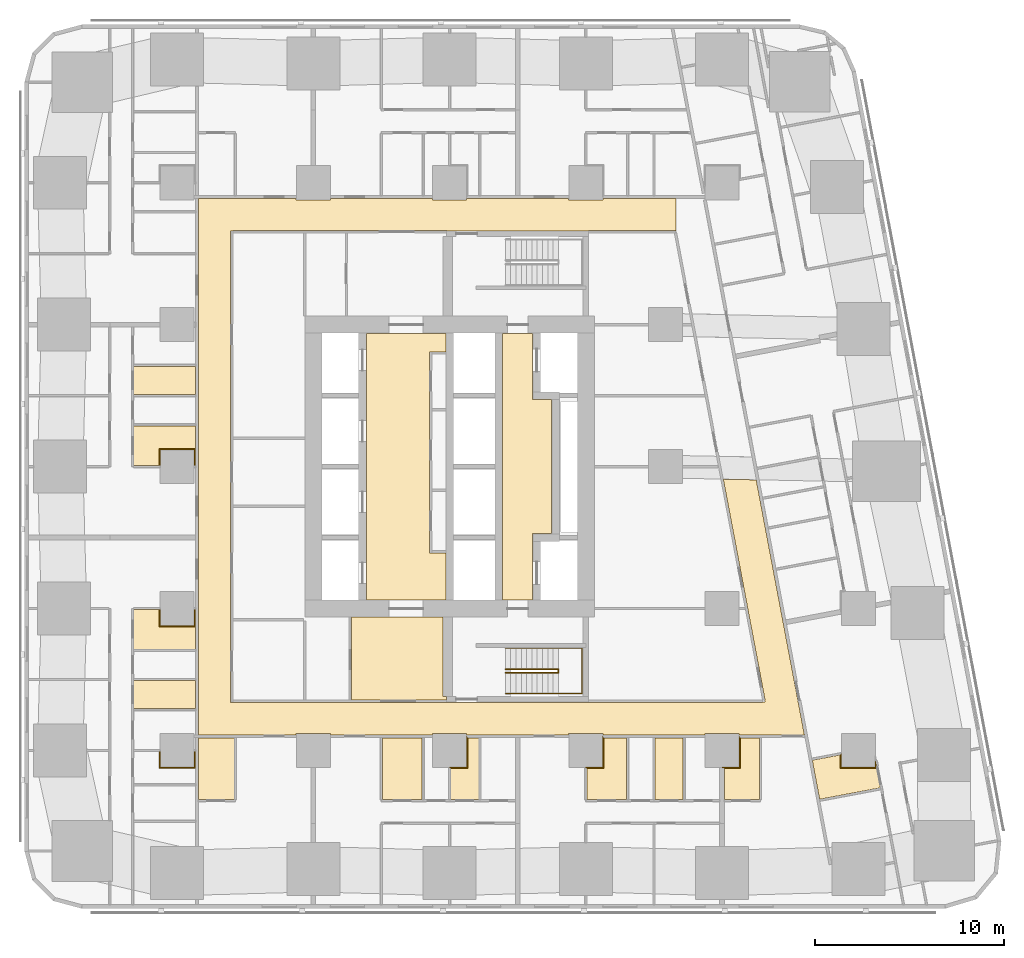
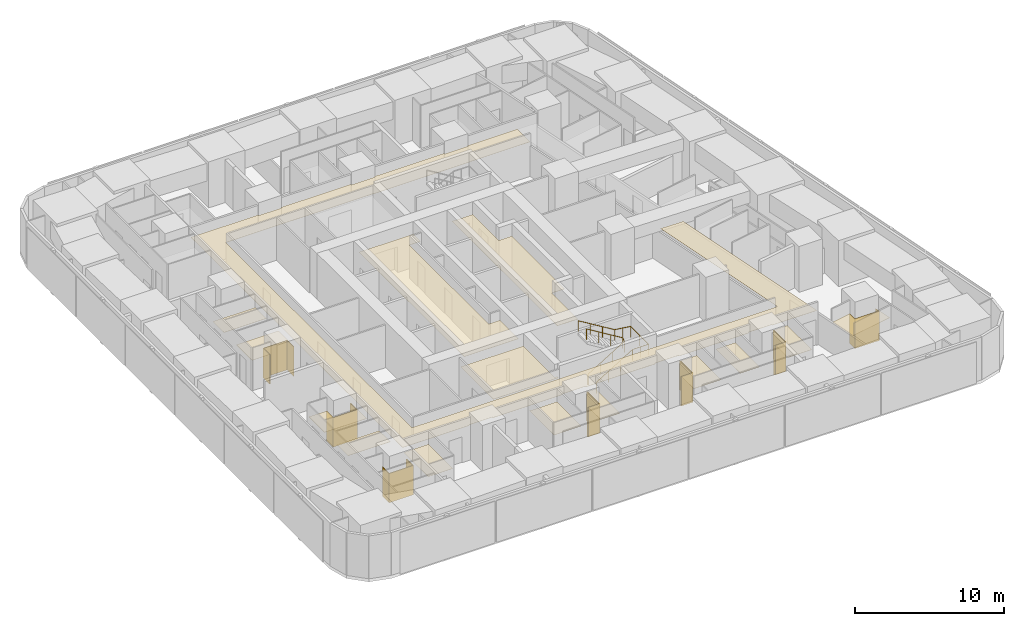
# One storey, part 16 of 18: 22 coverings, 2 railings.
"""IFC4 building model written with IfcOpenShell, lengths in metres."""

from ifc_helpers import new_model, si_unit, direction, frame, origin, origin_2d, place, context, subcontext, project, spatial, polyline, circle, outline, extrude, material, layer, layer_set, type_object, element, save


model = new_model("IFC4")

# Units and contexts
model_context = context("Model", 3, precision=1e-05, world=origin(), true_north=direction((0.0, 1.0)))
body_context = subcontext(model_context, "Body", "Model", "MODEL_VIEW")
ifc_project = project(units=[si_unit("LENGTHUNIT", "METRE"), si_unit("AREAUNIT", "SQUARE_METRE"), si_unit("VOLUMEUNIT", "CUBIC_METRE"), si_unit("PLANEANGLEUNIT", "RADIAN"), si_unit("MASSUNIT", "GRAM", prefix="KILO")], contexts=[model_context])

# Site, building, storey
site_placement = place(None, origin())
site = spatial("IfcSite", under=ifc_project, at=site_placement, CompositionType="ELEMENT")
building_placement = place(site_placement, origin())
building = spatial("IfcBuilding", under=site, at=building_placement, Name="Sheger Commons Tower", CompositionType="ELEMENT")
storey_placement = place(building_placement, frame((0.0, 0.0, 35.0)))
storey = spatial("IfcBuildingStorey", under=building, at=storey_placement, Name="L08", CompositionType="ELEMENT", Elevation=35.0)

# Railings
ifc_material_1 = material(Name="Steel handrail, black powder-coated", Category="steel")
railing_type = type_object("IfcRailingType", Name="HANDRAIL 900", PredefinedType="HANDRAIL", material=ifc_material_1)
railing_1_placement = place(storey_placement, frame((24.550048828125, 11.60009765625, 0.17041015625)))
element("IfcRailing", 1, at=railing_1_placement, inside=storey, type_object=railing_type, Name="Stair S1 handrail L08", PredefinedType="HANDRAIL", context=body_context, shape_type="SweptSolid", body=[
    extrude(circle(Radius=0.02392578125, at=origin_2d()), frame((0.0, 0.0, 0.8759765625), z_axis=(0.854169791009, 0.0, 0.51999420009), x_axis=(0.0, 1.0, 0.0)), (0.0, 0.0, 1.0), 3.278076171875),
    extrude(circle(Radius=0.02392578125, at=origin_2d()), frame((2.800048828125, 0.0, 2.58056640625), z_axis=(0.0, 0.761090297175, 0.648645943136), x_axis=(-1.0, 0.0, 0.0)), (0.0, 0.0, 1.0), 0.2626953125),
    extrude(circle(Radius=0.02392578125, at=origin_2d()), frame((2.800048828125, 0.199951171875, 2.7509765625), z_axis=(-0.854169791009, 0.0, 0.51999420009), x_axis=(0.0, -1.0, 0.0)), (0.0, 0.0, 1.0), 3.278076171875),
    extrude(circle(Radius=0.02099609375, at=origin_2d()), origin(), (0.0, 0.0, 1.0), 0.851806640625),
    extrude(circle(Radius=0.02099609375, at=origin_2d()), frame((0.933349609375, 0.0, 0.568115234375)), (0.0, 0.0, 1.0), 0.851806640625),
    extrude(circle(Radius=0.02099609375, at=origin_2d()), frame((1.86669921875, 0.0, 1.136474609375)), (0.0, 0.0, 1.0), 0.851806640625),
    extrude(circle(Radius=0.02099609375, at=origin_2d()), frame((2.800048828125, 0.0, 1.70458984375)), (0.0, 0.0, 1.0), 0.851806640625),
    extrude(circle(Radius=0.02099609375, at=origin_2d()), frame((2.800048828125, 0.199951171875, 1.875)), (0.0, 0.0, 1.0), 0.851806640625),
    extrude(circle(Radius=0.02099609375, at=origin_2d()), frame((1.86669921875, 0.199951171875, 2.443115234375)), (0.0, 0.0, 1.0), 0.851806640625),
    extrude(circle(Radius=0.02099609375, at=origin_2d()), frame((0.933349609375, 0.199951171875, 3.011474609375)), (0.0, 0.0, 1.0), 0.851806640625),
    extrude(circle(Radius=0.02099609375, at=origin_2d()), frame((0.0, 0.199951171875, 3.57958984375)), (0.0, 0.0, 1.0), 0.851806640625),
])
railing_2_placement = place(storey_placement, frame((24.550048828125, 10.5, 0.17041015625)))
element("IfcRailing", 2, at=railing_2_placement, inside=storey, type_object=railing_type, Name="Stair S1 handrail L08", PredefinedType="HANDRAIL", context=body_context, shape_type="SweptSolid", body=[
    extrude(circle(Radius=0.02392578125, at=origin_2d()), frame((0.0, 0.0, 0.8759765625), z_axis=(0.854169791009, 0.0, 0.51999420009), x_axis=(0.0, 1.0, 0.0)), (0.0, 0.0, 1.0), 3.278076171875),
    extrude(circle(Radius=0.02392578125, at=origin_2d()), frame((2.800048828125, 0.0, 2.58056640625), z_axis=(1.0, 0.0, 0.0), x_axis=(0.0, 1.0, 0.0)), (0.0, 0.0, 1.0), 1.25),
    extrude(circle(Radius=0.02392578125, at=origin_2d()), frame((4.050048828125, 0.0, 2.58056640625), z_axis=(0.0, 1.0, 0.0), x_axis=(-1.0, 0.0, 0.0)), (0.0, 0.0, 1.0), 2.39990234375),
    extrude(circle(Radius=0.02392578125, at=origin_2d()), frame((4.050048828125, 2.39990234375, 2.58056640625), z_axis=(-0.990834877927, 0.0, 0.135078661092), x_axis=(0.0, -1.0, 0.0)), (0.0, 0.0, 1.0), 1.261474609375),
    extrude(circle(Radius=0.02392578125, at=origin_2d()), frame((2.800048828125, 2.39990234375, 2.7509765625), z_axis=(-0.854169791009, 0.0, 0.51999420009), x_axis=(0.0, -1.0, 0.0)), (0.0, 0.0, 1.0), 3.278076171875),
    extrude(circle(Radius=0.02099609375, at=origin_2d()), origin(), (0.0, 0.0, 1.0), 0.851806640625),
    extrude(circle(Radius=0.02099609375, at=origin_2d()), frame((0.933349609375, 0.0, 0.568115234375)), (0.0, 0.0, 1.0), 0.851806640625),
    extrude(circle(Radius=0.02099609375, at=origin_2d()), frame((1.86669921875, 0.0, 1.136474609375)), (0.0, 0.0, 1.0), 0.851806640625),
    extrude(circle(Radius=0.02099609375, at=origin_2d()), frame((2.800048828125, 0.0, 1.70458984375)), (0.0, 0.0, 1.0), 0.851806640625),
    extrude(circle(Radius=0.02099609375, at=origin_2d()), frame((3.425048828125, 0.0, 1.70458984375)), (0.0, 0.0, 1.0), 0.851806640625),
    extrude(circle(Radius=0.02099609375, at=origin_2d()), frame((4.050048828125, 0.0, 1.70458984375)), (0.0, 0.0, 1.0), 0.851806640625),
    extrude(circle(Radius=0.02099609375, at=origin_2d()), frame((4.050048828125, 1.199951171875, 1.70458984375)), (0.0, 0.0, 1.0), 0.851806640625),
    extrude(circle(Radius=0.02099609375, at=origin_2d()), frame((4.050048828125, 2.39990234375, 1.70458984375)), (0.0, 0.0, 1.0), 0.851806640625),
    extrude(circle(Radius=0.02099609375, at=origin_2d()), frame((3.425048828125, 2.39990234375, 1.789794921875)), (0.0, 0.0, 1.0), 0.851806640625),
    extrude(circle(Radius=0.02099609375, at=origin_2d()), frame((2.800048828125, 2.39990234375, 1.875)), (0.0, 0.0, 1.0), 0.851806640625),
    extrude(circle(Radius=0.02099609375, at=origin_2d()), frame((1.86669921875, 2.39990234375, 2.443115234375)), (0.0, 0.0, 1.0), 0.851806640625),
    extrude(circle(Radius=0.02099609375, at=origin_2d()), frame((0.933349609375, 2.39990234375, 3.011474609375)), (0.0, 0.0, 1.0), 0.851806640625),
    extrude(circle(Radius=0.02099609375, at=origin_2d()), frame((0.0, 2.39990234375, 3.57958984375)), (0.0, 0.0, 1.0), 0.851806640625),
])

# Coverings
ifc_material_2 = material(Name="Moisture-resistant gypsum plasterboard 15 mm on a suspended galvanised steel grid", Category="steel")
ifc_layer_1 = layer(ifc_material_2, 0.014892578125)
ifc_layer_set_1 = layer_set([ifc_layer_1], Name="MOISTURE-RESISTANT CEILING 15")
covering_type_1 = type_object("IfcCoveringType", Name="MOISTURE-RESISTANT CEILING 15", PredefinedType="CEILING", material=ifc_layer_set_1)
covering_1_placement = place(storey_placement, frame((0.0, 0.0, 2.39990234375)))
element("IfcCovering", 3, at=covering_1_placement, inside=storey, type_object=covering_type_1, Name="L08-01.B1 ceiling", PredefinedType="CEILING", context=body_context, shape_type="SweptSolid", body=[
    extrude(outline(polyline([(4.905029296875, 12.844970703125), (8.169921875, 12.844970703125), (8.169921875, 14.945068359375), (8.10498046875, 14.945068359375), (8.10498046875, 14.094970703125), (6.294921875, 14.094970703125), (6.294921875, 14.945068359375), (4.905029296875, 14.945068359375), (4.905029296875, 12.844970703125)])), origin(), (0.0, 0.0, 1.0), 0.01513671875),
])
covering_2_placement = place(storey_placement, frame((0.0, 0.0, 2.39990234375)))
element("IfcCovering", 4, at=covering_2_placement, inside=storey, type_object=covering_type_1, Name="L08-01.B2 ceiling", PredefinedType="CEILING", context=body_context, shape_type="SweptSolid", body=[
    extrude(outline(polyline([(4.905029296875, 9.705078125), (8.169921875, 9.705078125), (8.169921875, 11.195068359375), (4.905029296875, 11.195068359375), (4.905029296875, 9.705078125)])), origin(), (0.0, 0.0, 1.0), 0.01513671875),
])
covering_3_placement = place(storey_placement, frame((0.0, 0.0, 2.39990234375)))
element("IfcCovering", 5, at=covering_3_placement, inside=storey, type_object=covering_type_1, Name="L08-02.B1 ceiling", PredefinedType="CEILING", context=body_context, shape_type="SweptSolid", body=[
    extrude(outline(polyline([(4.905029296875, 22.554931640625), (6.294921875, 22.554931640625), (6.294921875, 23.405029296875), (8.10498046875, 23.405029296875), (8.10498046875, 22.554931640625), (8.169921875, 22.554931640625), (8.169921875, 24.655029296875), (4.905029296875, 24.655029296875), (4.905029296875, 22.554931640625)])), origin(), (0.0, 0.0, 1.0), 0.01513671875),
])
covering_4_placement = place(storey_placement, frame((0.0, 0.0, 2.39990234375)))
element("IfcCovering", 6, at=covering_4_placement, inside=storey, type_object=covering_type_1, Name="L08-02.B2 ceiling", PredefinedType="CEILING", context=body_context, shape_type="SweptSolid", body=[
    extrude(outline(polyline([(4.905029296875, 26.304931640625), (8.169921875, 26.304931640625), (8.169921875, 27.794921875), (4.905029296875, 27.794921875), (4.905029296875, 26.304931640625)])), origin(), (0.0, 0.0, 1.0), 0.01513671875),
])
covering_5_placement = place(storey_placement, frame((0.0, 0.0, 2.39990234375)))
element("IfcCovering", 7, at=covering_5_placement, inside=storey, type_object=covering_type_1, Name="L08-04.B1 ceiling", PredefinedType="CEILING", context=body_context, shape_type="SweptSolid", body=[
    extrude(outline(polyline([(8.330078125, 4.905029296875), (10.22412109375, 4.905029296875), (10.22412109375, 8.169921875), (8.330078125, 8.169921875), (8.330078125, 4.905029296875)])), origin(), (0.0, 0.0, 1.0), 0.01513671875),
])
covering_6_placement = place(storey_placement, frame((0.0, 0.0, 2.39990234375)))
element("IfcCovering", 8, at=covering_6_placement, inside=storey, type_object=covering_type_1, Name="L08-05.B1 ceiling", PredefinedType="CEILING", context=body_context, shape_type="SweptSolid", body=[
    extrude(outline(polyline([(18.054931640625, 4.905029296875), (20.155029296875, 4.905029296875), (20.155029296875, 8.169921875), (18.054931640625, 8.169921875), (18.054931640625, 4.905029296875)])), origin(), (0.0, 0.0, 1.0), 0.01513671875),
])
covering_7_placement = place(storey_placement, frame((0.0, 0.0, 2.39990234375)))
element("IfcCovering", 9, at=covering_7_placement, inside=storey, type_object=covering_type_1, Name="L08-05.B2 ceiling", PredefinedType="CEILING", context=body_context, shape_type="SweptSolid", body=[
    extrude(outline(polyline([(21.655029296875, 4.905029296875), (23.14501953125, 4.905029296875), (23.14501953125, 8.169921875), (22.5048828125, 8.169921875), (22.5048828125, 6.594970703125), (21.655029296875, 6.594970703125), (21.655029296875, 4.905029296875)])), origin(), (0.0, 0.0, 1.0), 0.01513671875),
])
covering_8_placement = place(storey_placement, frame((0.0, 0.0, 2.39990234375)))
element("IfcCovering", 10, at=covering_8_placement, inside=storey, type_object=covering_type_1, Name="L08-06.B1 ceiling", PredefinedType="CEILING", context=body_context, shape_type="SweptSolid", body=[
    extrude(outline(polyline([(28.85498046875, 4.905029296875), (30.955078125, 4.905029296875), (30.955078125, 8.169921875), (29.705078125, 8.169921875), (29.705078125, 6.594970703125), (28.85498046875, 6.594970703125), (28.85498046875, 4.905029296875)])), origin(), (0.0, 0.0, 1.0), 0.01513671875),
])
covering_9_placement = place(storey_placement, frame((0.0, 0.0, 2.39990234375)))
element("IfcCovering", 11, at=covering_9_placement, inside=storey, type_object=covering_type_1, Name="L08-06.B2 ceiling", PredefinedType="CEILING", context=body_context, shape_type="SweptSolid", body=[
    extrude(outline(polyline([(32.455078125, 4.905029296875), (33.945068359375, 4.905029296875), (33.945068359375, 8.169921875), (32.455078125, 8.169921875), (32.455078125, 4.905029296875)])), origin(), (0.0, 0.0, 1.0), 0.01513671875),
])
covering_10_placement = place(storey_placement, frame((0.0, 0.0, 2.39990234375)))
element("IfcCovering", 12, at=covering_10_placement, inside=storey, type_object=covering_type_1, Name="L08-07.B1 ceiling", PredefinedType="CEILING", context=body_context, shape_type="SweptSolid", body=[
    extrude(outline(polyline([(36.1298828125, 4.905029296875), (37.97412109375, 4.905029296875), (37.97412109375, 8.169921875), (36.905029296875, 8.169921875), (36.905029296875, 6.594970703125), (36.1298828125, 6.594970703125), (36.1298828125, 4.905029296875)])), origin(), (0.0, 0.0, 1.0), 0.01513671875),
])
covering_11_placement = place(storey_placement, frame((0.0, 0.0, 2.39990234375)))
element("IfcCovering", 13, at=covering_11_placement, inside=storey, type_object=covering_type_1, Name="L08-10.B1 ceiling", PredefinedType="CEILING", context=body_context, shape_type="SweptSolid", body=[
    extrude(outline(polyline([(41.156005859375, 4.9208984375), (44.364013671875, 5.527099609375), (44.10693359375, 6.885009765625), (44.10498046875, 6.885009765625), (44.10498046875, 6.594970703125), (42.294921875, 6.594970703125), (42.294921875, 7.27392578125), (40.76611328125, 6.985107421875), (41.156005859375, 4.9208984375)])), origin(), (0.0, 0.0, 1.0), 0.01513671875),
])
ifc_material_3 = material(Name="Gypsum plasterboard 15 mm on a suspended steel grid", Category="steel")
ifc_layer_2 = layer(ifc_material_3, 0.014892578125)
ifc_layer_set_2 = layer_set([ifc_layer_2], Name="SUSPENDED CEILING 15")
covering_type_2 = type_object("IfcCoveringType", Name="SUSPENDED CEILING 15", PredefinedType="CEILING", material=ifc_layer_set_2)
covering_12_placement = place(storey_placement, frame((0.0, 0.0, 2.699951171875)))
element("IfcCovering", 14, at=covering_12_placement, inside=storey, type_object=covering_type_2, Name="L08-CO ceiling", PredefinedType="CEILING", context=body_context, shape_type="SweptSolid", body=[
    extrude(outline(polyline([(8.330078125, 8.330078125), (13.4951171875, 8.330078125), (13.4951171875, 8.405029296875), (15.304931640625, 8.405029296875), (15.304931640625, 8.330078125), (20.695068359375, 8.330078125), (20.695068359375, 8.405029296875), (22.5048828125, 8.405029296875), (22.5048828125, 8.330078125), (27.89501953125, 8.330078125), (27.89501953125, 8.405029296875), (29.705078125, 8.405029296875), (29.705078125, 8.330078125), (35.094970703125, 8.330078125), (35.094970703125, 8.405029296875), (36.905029296875, 8.405029296875), (36.905029296875, 8.330078125), (40.34912109375, 8.330078125), (37.804931640625, 21.798095703125), (36.06591796875, 21.8330078125), (38.26904296875, 10.1708984375), (38.251953125, 10.1669921875), (38.27392578125, 10.050048828125), (38.14306640625, 10.050048828125), (38.14306640625, 10.031982421875), (28.945068359375, 10.031982421875), (28.945068359375, 10.044921875), (21.455078125, 10.044921875), (21.455078125, 10.031982421875), (10.157958984375, 10.031982421875), (10.157958984375, 10.044921875), (10.031982421875, 10.044921875), (10.031982421875, 34.955078125), (10.157958984375, 34.955078125), (10.157958984375, 34.968017578125), (21.455078125, 34.968017578125), (21.455078125, 34.949951171875), (28.945068359375, 34.949951171875), (28.945068359375, 34.968017578125), (33.54296875, 34.968017578125), (33.54296875, 34.949951171875), (33.568115234375, 34.949951171875), (33.568115234375, 36.669921875), (29.705078125, 36.669921875), (29.705078125, 36.594970703125), (27.89501953125, 36.594970703125), (27.89501953125, 36.669921875), (22.5048828125, 36.669921875), (22.5048828125, 36.594970703125), (20.695068359375, 36.594970703125), (20.695068359375, 36.669921875), (15.304931640625, 36.669921875), (15.304931640625, 36.594970703125), (13.4951171875, 36.594970703125), (13.4951171875, 36.669921875), (8.330078125, 36.669921875), (8.330078125, 8.330078125)])), origin(), (0.0, 0.0, 1.0), 0.01513671875),
])
covering_13_placement = place(storey_placement, frame((0.0, 0.0, 2.699951171875)))
element("IfcCovering", 15, at=covering_13_placement, inside=storey, type_object=covering_type_2, Name="L08-SVS1 ceiling", PredefinedType="CEILING", context=body_context, shape_type="SweptSolid", body=[
    extrude(outline(polyline([(16.406982421875, 10.16796875), (21.445068359375, 10.16796875), (21.445068359375, 10.344970703125), (21.2451171875, 10.344970703125), (21.2451171875, 14.544921875), (16.406982421875, 14.544921875), (16.406982421875, 10.16796875)])), origin(), (0.0, 0.0, 1.0), 0.01513671875),
])
covering_14_placement = place(storey_placement, frame((0.0, 0.0, 2.699951171875)))
element("IfcCovering", 16, at=covering_14_placement, inside=storey, type_object=covering_type_2, Name="L08-LL ceiling", PredefinedType="CEILING", context=body_context, shape_type="SweptSolid", body=[
    extrude(outline(polyline([(17.205078125, 15.455078125), (21.39990234375, 15.455078125), (21.39990234375, 17.93310546875), (20.657958984375, 17.93310546875), (20.532958984375, 17.93310546875), (20.532958984375, 28.56689453125), (20.657958984375, 28.56689453125), (21.39990234375, 28.56689453125), (21.39990234375, 29.544921875), (17.205078125, 29.544921875), (17.205078125, 15.455078125)])), origin(), (0.0, 0.0, 1.0), 0.01513671875),
])
covering_15_placement = place(storey_placement, frame((0.0, 0.0, 2.699951171875)))
element("IfcCovering", 17, at=covering_15_placement, inside=storey, type_object=covering_type_2, Name="L08-FL ceiling", PredefinedType="CEILING", context=body_context, shape_type="SweptSolid", body=[
    extrude(outline(polyline([(24.405029296875, 15.455078125), (25.9951171875, 15.455078125), (25.9951171875, 18.955078125), (26.9951171875, 18.955078125), (26.9951171875, 26.044921875), (25.9951171875, 26.044921875), (25.9951171875, 29.544921875), (24.405029296875, 29.544921875), (24.405029296875, 15.455078125)])), origin(), (0.0, 0.0, 1.0), 0.01513671875),
])
ifc_material_4 = material(Name="Moisture-resistant gypsum board 12.5 mm on 25 mm treated timber battens, tanked and tiled", Category="wood")
ifc_layer_3 = layer(ifc_material_4, 0.050048828125)
ifc_layer_set_3 = layer_set([ifc_layer_3], Name="WET-ROOM COLUMN LINING")
covering_type_3 = type_object("IfcCoveringType", Name="WET-ROOM COLUMN LINING", PredefinedType="CLADDING", material=ifc_layer_set_3)
covering_16_placement = place(storey_placement, origin())
element("IfcCovering", 18, at=covering_16_placement, inside=storey, type_object=covering_type_3, Name="Laundry room column lining C8 L08", PredefinedType="CLADDING", context=body_context, shape_type="SweptSolid", body=[
    extrude(outline(polyline([(6.300048828125, 7.5), (6.300048828125, 6.60009765625), (8.10009765625, 6.60009765625), (8.10009765625, 7.5), (8.10107421875, 7.5), (8.10107421875, 7.449951171875), (8.14990234375, 7.449951171875), (8.14990234375, 6.550048828125), (6.25, 6.550048828125), (6.25, 7.449951171875), (6.299072265625, 7.449951171875), (6.299072265625, 7.5), (6.300048828125, 7.5)])), origin(), (0.0, 0.0, 1.0), 2.39990234375),
])
covering_17_placement = place(storey_placement, origin())
element("IfcCovering", 19, at=covering_17_placement, inside=storey, type_object=covering_type_3, Name="Shower room column lining C8 L08", PredefinedType="CLADDING", context=body_context, shape_type="SweptSolid", body=[
    extrude(outline(polyline([(21.64990234375, 6.550048828125), (21.64990234375, 6.59912109375), (21.60009765625, 6.59912109375), (21.60009765625, 6.60009765625), (22.5, 6.60009765625), (22.5, 8.25), (22.5009765625, 8.25), (22.5009765625, 8.175048828125), (22.550048828125, 8.175048828125), (22.550048828125, 6.550048828125), (21.64990234375, 6.550048828125)])), origin(), (0.0, 0.0, 1.0), 2.39990234375),
])
covering_18_placement = place(storey_placement, origin())
element("IfcCovering", 20, at=covering_18_placement, inside=storey, type_object=covering_type_3, Name="Bathroom column lining C8 L08", PredefinedType="CLADDING", context=body_context, shape_type="SweptSolid", body=[
    extrude(outline(polyline([(28.85009765625, 6.550048828125), (28.85009765625, 6.59912109375), (28.800048828125, 6.59912109375), (28.800048828125, 6.60009765625), (29.699951171875, 6.60009765625), (29.699951171875, 8.25), (29.700927734375, 8.25), (29.700927734375, 8.175048828125), (29.75, 8.175048828125), (29.75, 6.550048828125), (28.85009765625, 6.550048828125)])), origin(), (0.0, 0.0, 1.0), 2.39990234375),
])
covering_19_placement = place(storey_placement, origin())
element("IfcCovering", 21, at=covering_19_placement, inside=storey, type_object=covering_type_3, Name="Shower room column lining C8 L08", PredefinedType="CLADDING", context=body_context, shape_type="SweptSolid", body=[
    extrude(outline(polyline([(36.125, 6.550048828125), (36.125, 6.59912109375), (36.0, 6.59912109375), (36.0, 6.60009765625), (36.89990234375, 6.60009765625), (36.89990234375, 8.25), (36.90087890625, 8.25), (36.90087890625, 8.175048828125), (36.949951171875, 8.175048828125), (36.949951171875, 6.550048828125), (36.125, 6.550048828125)])), origin(), (0.0, 0.0, 1.0), 2.39990234375),
])
covering_20_placement = place(storey_placement, origin())
element("IfcCovering", 22, at=covering_20_placement, inside=storey, type_object=covering_type_3, Name="Bathroom column lining C8 L08", PredefinedType="CLADDING", context=body_context, shape_type="SweptSolid", body=[
    extrude(outline(polyline([(42.300048828125, 7.3310546875), (42.300048828125, 6.60009765625), (44.10009765625, 6.60009765625), (44.10009765625, 6.949951171875), (44.14990234375, 6.68603515625), (44.14990234375, 6.550048828125), (42.25, 6.550048828125), (42.25, 7.27099609375), (42.299072265625, 7.280029296875), (42.2900390625, 7.3291015625), (42.300048828125, 7.3310546875)])), origin(), (0.0, 0.0, 1.0), 2.39990234375),
])
covering_21_placement = place(storey_placement, origin())
element("IfcCovering", 23, at=covering_21_placement, inside=storey, type_object=covering_type_3, Name="Bathroom column lining C8 L08", PredefinedType="CLADDING", context=body_context, shape_type="SweptSolid", body=[
    extrude(outline(polyline([(6.300048828125, 15.0), (6.300048828125, 14.10009765625), (8.10009765625, 14.10009765625), (8.10009765625, 15.0), (8.10107421875, 15.0), (8.10107421875, 14.949951171875), (8.14990234375, 14.949951171875), (8.14990234375, 14.050048828125), (6.25, 14.050048828125), (6.25, 14.949951171875), (6.299072265625, 14.949951171875), (6.299072265625, 15.0), (6.300048828125, 15.0)])), origin(), (0.0, 0.0, 1.0), 2.39990234375),
])
covering_22_placement = place(storey_placement, origin())
element("IfcCovering", 24, at=covering_22_placement, inside=storey, type_object=covering_type_3, Name="Bathroom column lining C8 L08", PredefinedType="CLADDING", context=body_context, shape_type="SweptSolid", body=[
    extrude(outline(polyline([(8.14990234375, 23.449951171875), (8.14990234375, 22.550048828125), (8.10107421875, 22.550048828125), (8.10107421875, 22.5), (8.10009765625, 22.5), (8.10009765625, 23.39990234375), (6.300048828125, 23.39990234375), (6.300048828125, 22.5), (6.299072265625, 22.5), (6.299072265625, 22.550048828125), (6.25, 22.550048828125), (6.25, 23.449951171875), (8.14990234375, 23.449951171875)])), origin(), (0.0, 0.0, 1.0), 2.39990234375),
])

save(model, "model.ifc")
